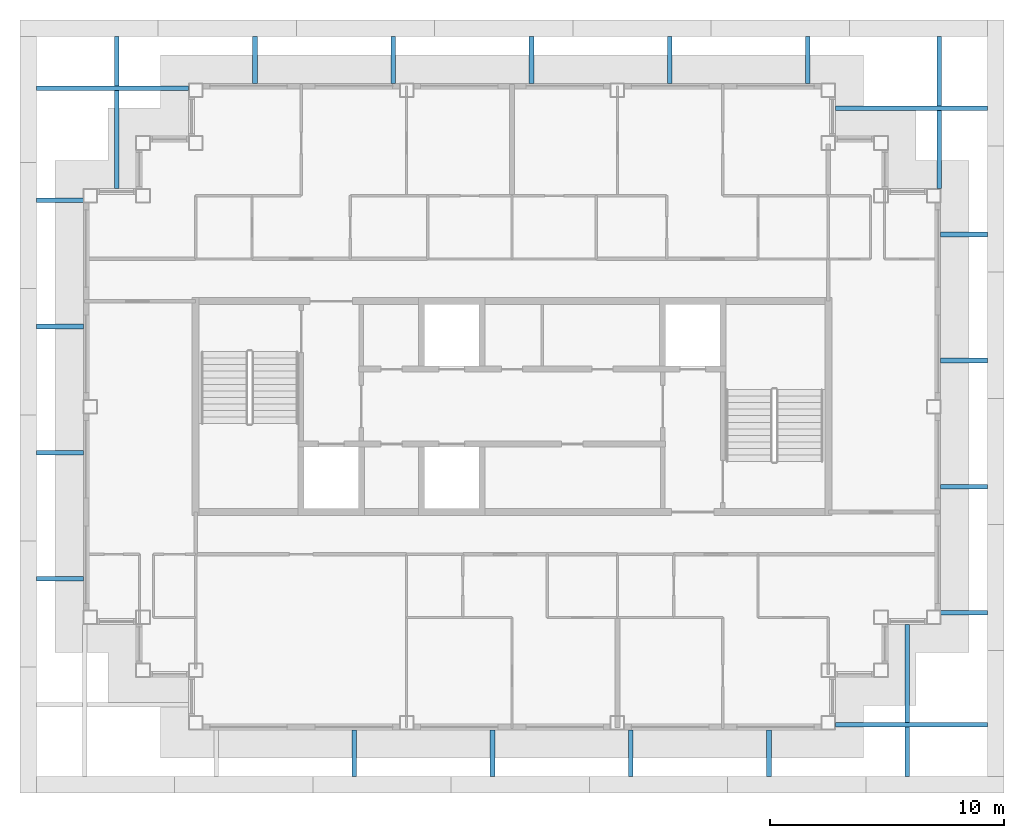
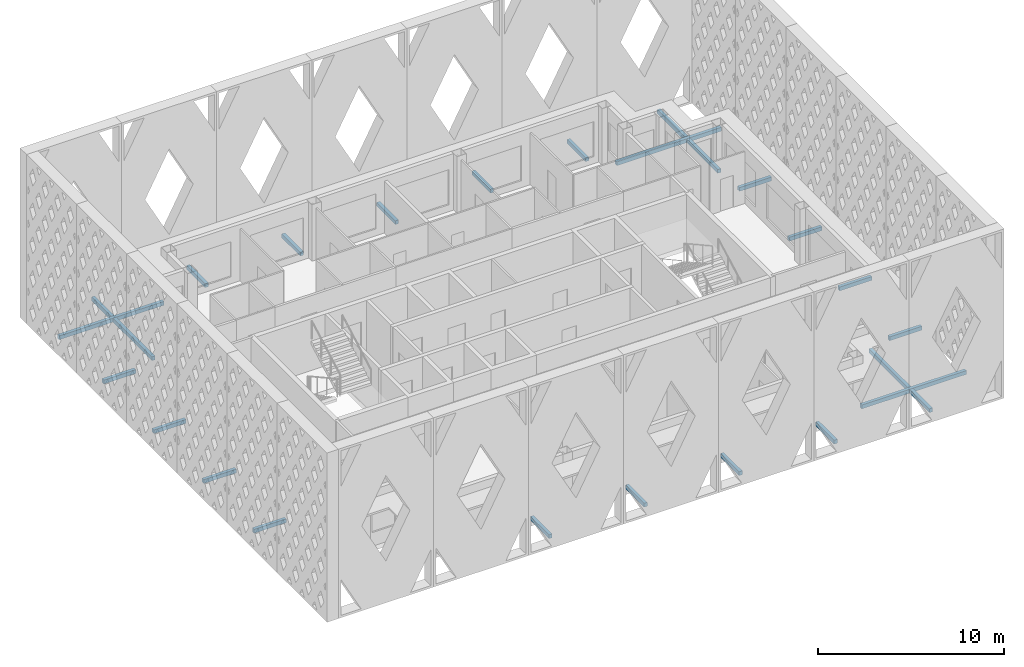
# One storey, part 6 of 13: 23 discrete accessories.
"""IFC4 building model written with IfcOpenShell, lengths in metres."""

import ifcopenshell
import ifcopenshell.guid

model = None  # the IFC model being written
_history = None  # IfcOwnerHistory: only IFC2X3 demands one
_inside = {}  # id of a spatial element -> (the spatial element, [elements in it])
_under = {}  # id of a project, library or spatial element -> (it, [spatial elements below it])
_declared = {}  # id of a project -> (the project, [libraries it declares])
_typed = {}  # id of a type object -> (the type object, [elements of that type])
_made_of = {}  # id of a material, layer set ... -> (it, [elements and type objects made of it])


def new_model(schema):
    """Start an empty IFC model of exactly this schema.

    Asked for "IFC4X3", IfcOpenShell would pick the latest addendum, in which some entities
    have other attributes; the version numbers below select the first issue.
    IFC2X3 requires an IfcOwnerHistory on every rooted entity: one is made here for all.
    """
    global model, _history
    if schema == "IFC4X3":
        model = ifcopenshell.file(schema_version=(4, 3, 0, 0))
    else:
        model = ifcopenshell.file(schema=schema)
    _inside.clear()
    _under.clear()
    _declared.clear()
    _typed.clear()
    _made_of.clear()
    _history = None
    if model.schema == "IFC2X3":
        org = make("IfcOrganization", Name="unknown")
        user = make(
            "IfcPersonAndOrganization",
            ThePerson=make("IfcPerson", FamilyName="unknown"),
            TheOrganization=org,
        )
        app = make(
            "IfcApplication",
            ApplicationDeveloper=org,
            Version="unknown",
            ApplicationFullName="unknown",
            ApplicationIdentifier="unknown",
        )
        _history = make(
            "IfcOwnerHistory",
            OwningUser=user,
            OwningApplication=app,
            ChangeAction="ADDED",
            CreationDate=0,
        )
    return model


def make(cls, **values):
    """One entity of the class cls with the attributes given. An attribute that is None is left unset."""
    return model.create_entity(
        cls, **{name: value for name, value in values.items() if value is not None}
    )


def rooted(cls, **values):
    """An entity with a GlobalId (a new one), such as an element, a storey or a relation."""
    return make(cls, GlobalId=ifcopenshell.guid.new(), OwnerHistory=_history, **values)


def si_unit(unit_type, name, prefix=None):
    """IfcSIUnit, for example si_unit("LENGTHUNIT", "METRE", prefix="MILLI")."""
    return make("IfcSIUnit", UnitType=unit_type, Prefix=prefix, Name=name)


def assignment(units):
    """IfcUnitAssignment: the units of a project."""
    return None if units is None else make("IfcUnitAssignment", Units=units)


def point(xyz):
    """IfcCartesianPoint."""
    return None if xyz is None else make("IfcCartesianPoint", Coordinates=xyz)


def direction(xyz):
    """IfcDirection."""
    return None if xyz is None else make("IfcDirection", DirectionRatios=xyz)


def frame(location, z_axis=None, x_axis=None):
    """IfcAxis2Placement3D, a coordinate frame: its origin and axes. An axis left out is left unset."""
    return make(
        "IfcAxis2Placement3D",
        Location=point(location),
        Axis=direction(z_axis),
        RefDirection=direction(x_axis),
    )


def frame_2d(location, x_axis=None):
    """IfcAxis2Placement2D, a coordinate frame in the plane: its origin and x axis."""
    return make(
        "IfcAxis2Placement2D", Location=point(location), RefDirection=direction(x_axis)
    )


def origin():
    """The frame at (0, 0, 0) with its axes left unset."""
    return frame((0.0, 0.0, 0.0))


def origin_2d():
    """The frame at (0, 0) in the plane with its x axis left unset."""
    return frame_2d((0.0, 0.0))


def place(relative_to, where):
    """IfcLocalPlacement: puts the frame where relative to a parent placement (None: the world)."""
    return make(
        "IfcLocalPlacement", PlacementRelTo=relative_to, RelativePlacement=where
    )


def context(
    kind, dimensions, precision=None, world=None, true_north=None, identifier=None
):
    """IfcGeometricRepresentationContext, for example the 3D "Model" context."""
    return make(
        "IfcGeometricRepresentationContext",
        ContextIdentifier=identifier,
        ContextType=kind,
        CoordinateSpaceDimension=dimensions,
        Precision=precision,
        WorldCoordinateSystem=world,
        TrueNorth=true_north,
    )


def subcontext(parent, identifier, kind, view, scale=None):
    """IfcGeometricRepresentationSubContext, for example "Body" below "Model"."""
    return make(
        "IfcGeometricRepresentationSubContext",
        ContextIdentifier=identifier,
        ContextType=kind,
        ParentContext=parent,
        TargetScale=scale,
        TargetView=view,
    )


def project(units=None, contexts=None):
    """IfcProject with its units and contexts."""
    return rooted(
        "IfcProject",
        Name="project",
        RepresentationContexts=contexts,
        UnitsInContext=assignment(units),
    )


def spatial(cls, under=None, at=None, **own):
    """A site, building, storey or space (cls), placed at a placement, below another one or the project."""
    s = rooted(cls, ObjectPlacement=at, **own)
    if under is not None:
        _under.setdefault(under.id(), (under, []))[1].append(s)
    return s


def profile(cls, at=None, kind="AREA", **sizes):
    """A parametric profile (cls). Its sizes go by their IFC names, for example OverallWidth=200.0."""
    return make(cls, ProfileType=kind, Position=at, **sizes)


def rectangle(**sizes):
    """IfcRectangleProfileDef."""
    return profile("IfcRectangleProfileDef", **sizes)


def extrude(swept, where, along, depth):
    """IfcExtrudedAreaSolid: the profile swept, set in the frame where, extruded along a direction by depth."""
    return make(
        "IfcExtrudedAreaSolid",
        SweptArea=swept,
        Position=where,
        ExtrudedDirection=direction(along),
        Depth=depth,
    )


def shape(context_of_items, identifier, shape_type, items):
    """IfcShapeRepresentation: the items that make up one representation, for example the "Body"."""
    return make(
        "IfcShapeRepresentation",
        ContextOfItems=context_of_items,
        RepresentationIdentifier=identifier,
        RepresentationType=shape_type,
        Items=items,
    )


def material(Name=None, Category=None):
    """IfcMaterial."""
    return make("IfcMaterial", Name=Name, Category=Category)


def made_of(thing, what):
    """Note that an element or type object is made of a material, layer set ...; save() writes the relation."""
    if what is not None:
        _made_of.setdefault(what.id(), (what, []))[1].append(thing)
    return thing


def type_object(cls, material=None, **own):
    """A type object (cls), such as IfcWallType, which elements share."""
    return made_of(rooted(cls, **own), material)


def element(
    cls,
    number,
    at=None,
    inside=None,
    cuts=None,
    type_object=None,
    material=None,
    context=None,
    identifier="Body",
    shape_type=None,
    held_by="IfcProductDefinitionShape",
    body=None,
    shapes=None,
    **own,
):
    """One element of the class cls, such as IfcWall. Its Tag is "e" and its number.

    at: its placement. inside: the storey or other place that contains it. cuts: it is an
    opening in that element (IfcRelVoidsElement). A single representation is given by context,
    identifier, shape_type and body (its items); several are given by shapes. held_by: the class
    of the entity that holds the representations. save() writes the other relations.
    """
    e = rooted(cls, Tag="e%d" % number, ObjectPlacement=at, **own)
    if body is not None:
        shapes = [shape(context, identifier, shape_type, body)]
    if shapes is not None:
        e.Representation = make(held_by, Representations=shapes)
    if inside is not None:
        _inside.setdefault(inside.id(), (inside, []))[1].append(e)
    if cuts is not None:
        rooted(
            "IfcRelVoidsElement", RelatingBuildingElement=cuts, RelatedOpeningElement=e
        )
    if type_object is not None:
        _typed.setdefault(type_object.id(), (type_object, []))[1].append(e)
    return made_of(e, material)


def aggregate(whole, parts):
    """IfcRelAggregates: a whole, such as a stair, and the parts it consists of."""
    return rooted("IfcRelAggregates", RelatingObject=whole, RelatedObjects=parts)


def save(model, path):
    """Write the relations noted so far, then the file.

    IfcRelAggregates (storeys below a building ...), IfcRelContainedInSpatialStructure (elements
    in a storey), IfcRelDefinesByType, IfcRelAssociatesMaterial and IfcRelDeclares: one each for
    every whole, place, type object, material and project.
    """
    for whole, parts in _under.values():
        aggregate(whole, parts)
    for where, things in _inside.values():
        rooted(
            "IfcRelContainedInSpatialStructure",
            RelatedElements=things,
            RelatingStructure=where,
        )
    for kind, things in _typed.values():
        rooted("IfcRelDefinesByType", RelatedObjects=things, RelatingType=kind)
    for what, things in _made_of.values():
        rooted("IfcRelAssociatesMaterial", RelatedObjects=things, RelatingMaterial=what)
    for by, libraries in _declared.values():
        rooted("IfcRelDeclares", RelatingContext=by, RelatedDefinitions=libraries)
    model.write(path)


model = new_model("IFC4")

# Units and contexts
model_context = context("Model", 3, precision=1e-05, world=origin(), true_north=direction((0.0, 1.0)))
body_context = subcontext(model_context, "Body", "Model", "MODEL_VIEW")
ifc_project = project(units=[si_unit("LENGTHUNIT", "METRE"), si_unit("AREAUNIT", "SQUARE_METRE"), si_unit("VOLUMEUNIT", "CUBIC_METRE"), si_unit("PLANEANGLEUNIT", "RADIAN"), si_unit("MASSUNIT", "GRAM", prefix="KILO")], contexts=[model_context])

# Site, building, storey
site_placement = place(None, origin())
site = spatial("IfcSite", under=ifc_project, at=site_placement, CompositionType="ELEMENT")
building_placement = place(site_placement, origin())
building = spatial("IfcBuilding", under=site, at=building_placement, Name="Caravel Reach Hotel and Residences", CompositionType="ELEMENT")
storey_placement = place(building_placement, frame((0.0, 0.0, 283.39990234375)))
storey = spatial("IfcBuildingStorey", under=building, at=storey_placement, Name="L72", CompositionType="ELEMENT", Elevation=283.39990234375)

# Discrete accessories
ifc_material = material(Name="Black powder-coated aluminium", Category="aluminium")
discrete_accessory_type = type_object("IfcDiscreteAccessoryType", Name="BR1 Screen bracket", PredefinedType="BRACKET", material=ifc_material)
discrete_accessory_1_placement = place(storey_placement, frame((48.550048828125, 13.4150390625, 0.10009765625), z_axis=(0.0, 0.0, 1.0), x_axis=(1.0, 0.0, 0.0)))
element("IfcDiscreteAccessory", 1, at=discrete_accessory_1_placement, inside=storey, type_object=discrete_accessory_type, Name="Screen bracket L72 1.1.1", PredefinedType="BRACKET", context=body_context, shape_type="SweptSolid", body=[
    extrude(rectangle(XDim=6.5, YDim=0.199951171875, at=origin_2d()), origin(), (0.0, 0.0, 1.0), 0.25),
])
for number, where, z_axis, x_axis, name in (
    (2, (50.800048828125, 18.1982421875, 0.10009765625), (0.0, 0.0, 1.0), (1.0, 0.0, 0.0), "Screen bracket L72 1.2.1"),
    (3, (50.800048828125, 23.581787109375, 0.10009765625), (0.0, 0.0, 1.0), (1.0, 0.0, 0.0), "Screen bracket L72 1.3.1"),
    (4, (50.800048828125, 28.965087890625, 0.10009765625), (0.0, 0.0, 1.0), (1.0, 0.0, 0.0), "Screen bracket L72 1.4.1"),
    (5, (50.800048828125, 34.348388671875, 0.10009765625), (0.0, 0.0, 1.0), (1.0, 0.0, 0.0), "Screen bracket L72 1.5.1"),
):
    element("IfcDiscreteAccessory", number, at=place(storey_placement, frame(where, z_axis=z_axis, x_axis=x_axis)), inside=storey, type_object=discrete_accessory_type, Name=name, PredefinedType="BRACKET", context=body_context, shape_type="SweptSolid", body=[
        extrude(rectangle(XDim=2.0, YDim=0.199951171875, at=origin_2d()), origin(), (0.0, 0.0, 1.0), 0.25),
    ])
for number, where, z_axis, x_axis, name in (
    (6, (48.550048828125, 39.731689453125, 0.10009765625), (0.0, 0.0, 1.0), (1.0, 0.0, 0.0), "Screen bracket L72 1.6.1"),
    (7, (49.72998046875, 39.550048828125, 0.10009765625), (0.0, 0.0, 1.0), (0.0, 1.0, 0.0), "Screen bracket L72 2.1.1"),
):
    element("IfcDiscreteAccessory", number, at=place(storey_placement, frame(where, z_axis=z_axis, x_axis=x_axis)), inside=storey, type_object=discrete_accessory_type, Name=name, PredefinedType="BRACKET", context=body_context, shape_type="SweptSolid", body=[
        extrude(rectangle(XDim=6.5, YDim=0.199951171875, at=origin_2d()), origin(), (0.0, 0.0, 1.0), 0.25),
    ])
for number, where, z_axis, x_axis, name in (
    (8, (44.1298828125, 41.800048828125, 0.10009765625), (0.0, 0.0, 1.0), (0.0, 1.0, 0.0), "Screen bracket L72 2.2.1"),
    (9, (38.22998046875, 41.800048828125, 0.10009765625), (0.0, 0.0, 1.0), (0.0, 1.0, 0.0), "Screen bracket L72 2.3.1"),
    (10, (32.330078125, 41.800048828125, 0.10009765625), (0.0, 0.0, 1.0), (0.0, 1.0, 0.0), "Screen bracket L72 2.4.1"),
    (11, (26.429931640625, 41.800048828125, 0.10009765625), (0.0, 0.0, 1.0), (0.0, 1.0, 0.0), "Screen bracket L72 2.5.1"),
    (12, (20.530029296875, 41.800048828125, 0.10009765625), (0.0, 0.0, 1.0), (0.0, 1.0, 0.0), "Screen bracket L72 2.6.1"),
):
    element("IfcDiscreteAccessory", number, at=place(storey_placement, frame(where, z_axis=z_axis, x_axis=x_axis)), inside=storey, type_object=discrete_accessory_type, Name=name, PredefinedType="BRACKET", context=body_context, shape_type="SweptSolid", body=[
        extrude(rectangle(XDim=2.0, YDim=0.199951171875, at=origin_2d()), origin(), (0.0, 0.0, 1.0), 0.25),
    ])
for number, where, z_axis, x_axis, name in (
    (13, (14.6298828125, 39.550048828125, 0.10009765625), (0.0, 0.0, 1.0), (0.0, 1.0, 0.0), "Screen bracket L72 2.7.1"),
    (14, (14.449951171875, 40.5849609375, 0.10009765625), (0.0, 0.0, 1.0), (-1.0, 0.0, 0.0), "Screen bracket L72 3.1.1"),
):
    element("IfcDiscreteAccessory", number, at=place(storey_placement, frame(where, z_axis=z_axis, x_axis=x_axis)), inside=storey, type_object=discrete_accessory_type, Name=name, PredefinedType="BRACKET", context=body_context, shape_type="SweptSolid", body=[
        extrude(rectangle(XDim=6.5, YDim=0.199951171875, at=origin_2d()), origin(), (0.0, 0.0, 1.0), 0.25),
    ])
for number, where, z_axis, x_axis, name in (
    (15, (12.199951171875, 35.8017578125, 0.10009765625), (0.0, 0.0, 1.0), (-1.0, 0.0, 0.0), "Screen bracket L72 3.2.1"),
    (16, (12.199951171875, 30.418212890625, 0.10009765625), (0.0, 0.0, 1.0), (-1.0, 0.0, 0.0), "Screen bracket L72 3.3.1"),
    (17, (12.199951171875, 25.034912109375, 0.10009765625), (0.0, 0.0, 1.0), (-1.0, 0.0, 0.0), "Screen bracket L72 3.4.1"),
    (18, (12.199951171875, 19.651611328125, 0.10009765625), (0.0, 0.0, 1.0), (-1.0, 0.0, 0.0), "Screen bracket L72 3.5.1"),
    (19, (24.77001953125, 12.199951171875, 0.10009765625), (0.0, 0.0, 1.0), (0.0, -1.0, 0.0), "Screen bracket L72 4.3.1"),
    (20, (30.669921875, 12.199951171875, 0.10009765625), (0.0, 0.0, 1.0), (0.0, -1.0, 0.0), "Screen bracket L72 4.4.1"),
    (21, (36.570068359375, 12.199951171875, 0.10009765625), (0.0, 0.0, 1.0), (0.0, -1.0, 0.0), "Screen bracket L72 4.5.1"),
    (22, (42.469970703125, 12.199951171875, 0.10009765625), (0.0, 0.0, 1.0), (0.0, -1.0, 0.0), "Screen bracket L72 4.6.1"),
):
    element("IfcDiscreteAccessory", number, at=place(storey_placement, frame(where, z_axis=z_axis, x_axis=x_axis)), inside=storey, type_object=discrete_accessory_type, Name=name, PredefinedType="BRACKET", context=body_context, shape_type="SweptSolid", body=[
        extrude(rectangle(XDim=2.0, YDim=0.199951171875, at=origin_2d()), origin(), (0.0, 0.0, 1.0), 0.25),
    ])
discrete_accessory_2_placement = place(storey_placement, frame((48.3701171875, 14.449951171875, 0.10009765625), z_axis=(0.0, 0.0, 1.0), x_axis=(0.0, -1.0, 0.0)))
element("IfcDiscreteAccessory", 23, at=discrete_accessory_2_placement, inside=storey, type_object=discrete_accessory_type, Name="Screen bracket L72 4.7.1", PredefinedType="BRACKET", context=body_context, shape_type="SweptSolid", body=[
    extrude(rectangle(XDim=6.5, YDim=0.199951171875, at=origin_2d()), origin(), (0.0, 0.0, 1.0), 0.25),
])

save(model, "model.ifc")
